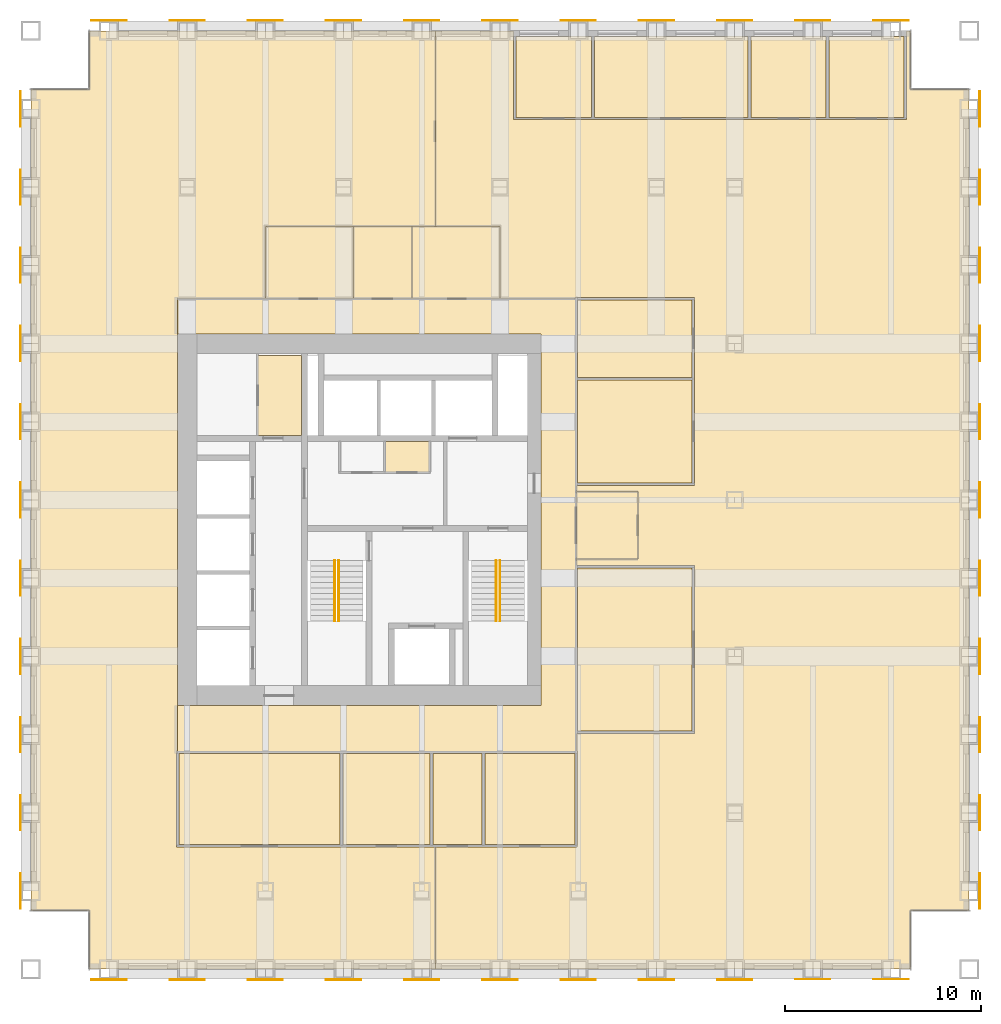
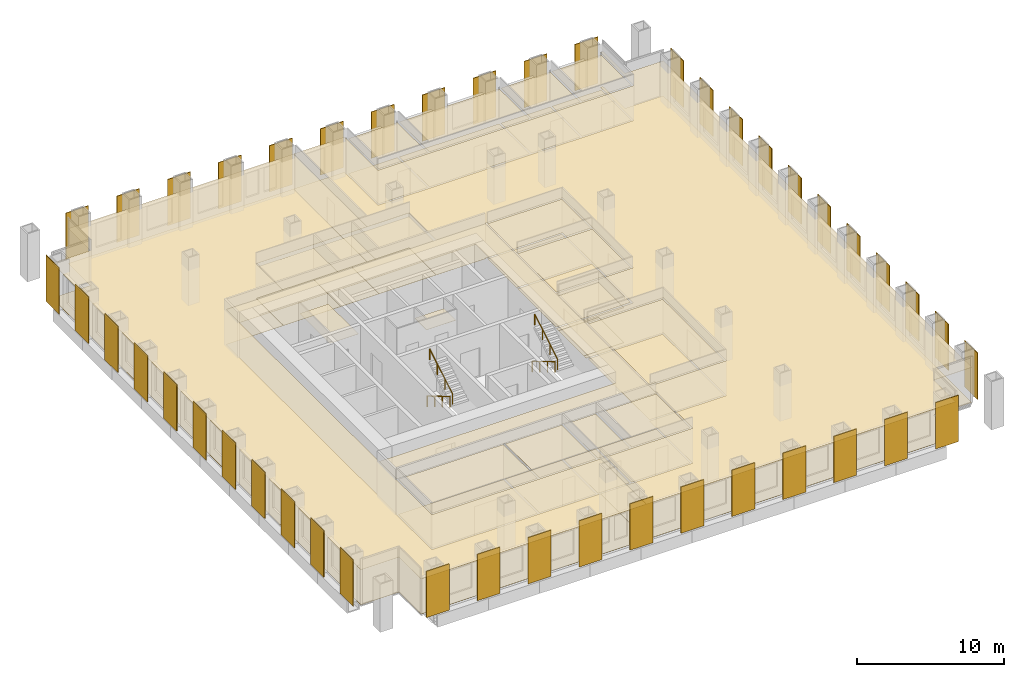
# One storey, part 15 of 15: 44 shading devices, 37 coverings, 4 railings.
"""IFC4 building model written with IfcOpenShell, lengths in metres."""

from ifc_helpers import new_model, si_unit, direction, frame, origin, origin_2d, place, context, subcontext, project, spatial, polyline, rectangle, circle, outline, extrude, material, layer, layer_set, type_object, element, save


model = new_model("IFC4")

# Units and contexts
model_context = context("Model", 3, precision=1e-05, world=origin(), true_north=direction((0.0, 1.0)))
body_context = subcontext(model_context, "Body", "Model", "MODEL_VIEW")
ifc_project = project(units=[si_unit("LENGTHUNIT", "METRE"), si_unit("AREAUNIT", "SQUARE_METRE"), si_unit("VOLUMEUNIT", "CUBIC_METRE"), si_unit("PLANEANGLEUNIT", "RADIAN"), si_unit("MASSUNIT", "GRAM", prefix="KILO")], contexts=[model_context])

# Site, building, storey
site_placement = place(None, origin())
site = spatial("IfcSite", under=ifc_project, at=site_placement, CompositionType="ELEMENT")
building_placement = place(site_placement, origin())
building = spatial("IfcBuilding", under=site, at=building_placement, Name="Rimbunsela Tower", CompositionType="ELEMENT")
storey_placement = place(building_placement, frame((0.0, 0.0, 113.39990234375)))
storey = spatial("IfcBuildingStorey", under=building, at=storey_placement, Name="L27", CompositionType="ELEMENT", Elevation=113.39990234375)

# Coverings
ifc_material_1 = material(Name="Nylon carpet tile", Category="textile")
ifc_layer_1 = layer(ifc_material_1, 0.010009765625)
ifc_layer_set_1 = layer_set([ifc_layer_1], Name="Carpet tile 10")
covering_type_1 = type_object("IfcCoveringType", Name="Carpet tile 10", PredefinedType="FLOORING", material=ifc_layer_set_1)
covering_1_placement = place(storey_placement, origin())
element("IfcCovering", 1, at=covering_1_placement, inside=storey, type_object=covering_type_1, Name="Floor finish Open office", PredefinedType="FLOORING", context=body_context, shape_type="SweptSolid", body=[
    extrude(outline(polyline([(17.5, 4.0), (13.0, 4.0), (13.0, 7.0), (10.0, 7.0), (10.0, 49.0), (13.0, 49.0), (13.0, 52.0), (17.5, 52.0), (30.699951171875, 52.0), (30.699951171875, 42.0), (22.0, 42.0), (22.0, 38.300048828125), (17.5, 38.300048828125), (17.5, 36.5), (17.5, 17.5), (17.5, 15.14990234375), (17.449951171875, 15.14990234375), (17.449951171875, 10.25), (17.5, 10.25), (25.85009765625, 10.25), (25.949951171875, 10.25), (30.449951171875, 10.25), (30.550048828125, 10.25), (30.699951171875, 10.25), (30.699951171875, 4.0), (17.5, 4.0)])), origin(), (0.0, 0.0, 1.0), 0.010009765625),
])
covering_2_placement = place(storey_placement, origin())
element("IfcCovering", 2, at=covering_2_placement, inside=storey, type_object=covering_type_1, Name="Floor finish Open office", PredefinedType="FLOORING", context=body_context, shape_type="SweptSolid", body=[
    extrude(outline(polyline([(30.699951171875, 52.0), (34.699951171875, 52.0), (34.699951171875, 47.449951171875), (37.89990234375, 47.449951171875), (38.699951171875, 47.449951171875), (38.800048828125, 47.449951171875), (46.699951171875, 47.449951171875), (46.800048828125, 47.449951171875), (50.699951171875, 47.449951171875), (50.800048828125, 47.449951171875), (54.800048828125, 47.449951171875), (54.800048828125, 52.0), (55.0, 52.0), (55.0, 49.0), (58.0, 49.0), (58.0, 7.0), (55.0, 7.0), (55.0, 4.0), (37.89990234375, 4.0), (30.699951171875, 4.0), (30.699951171875, 10.25), (33.10009765625, 10.25), (33.199951171875, 10.25), (37.89990234375, 10.25), (37.949951171875, 10.25), (37.949951171875, 15.14990234375), (37.89990234375, 15.14990234375), (37.89990234375, 16.050048828125), (43.949951171875, 16.050048828125), (43.949951171875, 24.64990234375), (37.89990234375, 24.64990234375), (37.89990234375, 24.97509765625), (41.050048828125, 24.97509765625), (41.050048828125, 28.425048828125), (37.89990234375, 28.425048828125), (37.89990234375, 28.75), (43.949951171875, 28.75), (43.949951171875, 34.14990234375), (43.949951171875, 34.25), (43.949951171875, 38.35009765625), (37.89990234375, 38.35009765625), (37.85009765625, 38.35009765625), (37.85009765625, 38.300048828125), (34.0, 38.300048828125), (34.0, 42.0), (30.699951171875, 42.0), (30.699951171875, 52.0)])), origin(), (0.0, 0.0, 1.0), 0.010009765625),
])
covering_3_placement = place(storey_placement, origin())
element("IfcCovering", 3, at=covering_3_placement, inside=storey, type_object=covering_type_1, Name="Floor finish Reception", PredefinedType="FLOORING", context=body_context, shape_type="SweptSolid", body=[
    extrude(outline(polyline([(41.050048828125, 24.97509765625), (41.050048828125, 28.425048828125), (37.89990234375, 28.425048828125), (37.89990234375, 24.97509765625), (41.050048828125, 24.97509765625)])), origin(), (0.0, 0.0, 1.0), 0.010009765625),
])
covering_4_placement = place(storey_placement, origin())
element("IfcCovering", 4, at=covering_4_placement, inside=storey, type_object=covering_type_1, Name="Floor finish Executive office", PredefinedType="FLOORING", context=body_context, shape_type="SweptSolid", body=[
    extrude(outline(polyline([(38.675048828125, 47.574951171875), (38.675048828125, 51.699951171875), (34.824951171875, 51.699951171875), (34.824951171875, 47.574951171875), (38.675048828125, 47.574951171875)])), origin(), (0.0, 0.0, 1.0), 0.010009765625),
])
covering_5_placement = place(storey_placement, origin())
element("IfcCovering", 5, at=covering_5_placement, inside=storey, type_object=covering_type_1, Name="Floor finish Executive office", PredefinedType="FLOORING", context=body_context, shape_type="SweptSolid", body=[
    extrude(outline(polyline([(46.675048828125, 47.574951171875), (46.675048828125, 51.699951171875), (38.824951171875, 51.699951171875), (38.824951171875, 47.574951171875), (46.675048828125, 47.574951171875)])), origin(), (0.0, 0.0, 1.0), 0.010009765625),
])
covering_6_placement = place(storey_placement, origin())
element("IfcCovering", 6, at=covering_6_placement, inside=storey, type_object=covering_type_1, Name="Floor finish Executive office", PredefinedType="FLOORING", context=body_context, shape_type="SweptSolid", body=[
    extrude(outline(polyline([(50.675048828125, 47.574951171875), (50.675048828125, 51.699951171875), (46.824951171875, 51.699951171875), (46.824951171875, 47.574951171875), (50.675048828125, 47.574951171875)])), origin(), (0.0, 0.0, 1.0), 0.010009765625),
])
covering_7_placement = place(storey_placement, origin())
element("IfcCovering", 7, at=covering_7_placement, inside=storey, type_object=covering_type_1, Name="Floor finish Executive office", PredefinedType="FLOORING", context=body_context, shape_type="SweptSolid", body=[
    extrude(outline(polyline([(54.675048828125, 47.574951171875), (54.675048828125, 51.699951171875), (50.824951171875, 51.699951171875), (50.824951171875, 47.574951171875), (54.675048828125, 47.574951171875)])), origin(), (0.0, 0.0, 1.0), 0.010009765625),
])
covering_8_placement = place(storey_placement, origin())
element("IfcCovering", 8, at=covering_8_placement, inside=storey, type_object=covering_type_1, Name="Floor finish Training room", PredefinedType="FLOORING", context=body_context, shape_type="SweptSolid", body=[
    extrude(outline(polyline([(25.824951171875, 10.375), (25.824951171875, 15.02490234375), (17.574951171875, 15.02490234375), (17.574951171875, 10.375), (25.824951171875, 10.375)])), origin(), (0.0, 0.0, 1.0), 0.010009765625),
])
covering_9_placement = place(storey_placement, origin())
element("IfcCovering", 9, at=covering_9_placement, inside=storey, type_object=covering_type_1, Name="Floor finish Pantry", PredefinedType="FLOORING", context=body_context, shape_type="SweptSolid", body=[
    extrude(outline(polyline([(30.425048828125, 10.375), (30.425048828125, 15.02490234375), (25.97509765625, 15.02490234375), (25.97509765625, 10.375), (30.425048828125, 10.375)])), origin(), (0.0, 0.0, 1.0), 0.010009765625),
])
covering_10_placement = place(storey_placement, origin())
element("IfcCovering", 10, at=covering_10_placement, inside=storey, type_object=covering_type_1, Name="Floor finish Print and copy room", PredefinedType="FLOORING", context=body_context, shape_type="SweptSolid", body=[
    extrude(outline(polyline([(33.074951171875, 10.375), (33.074951171875, 15.02490234375), (30.574951171875, 15.02490234375), (30.574951171875, 10.375), (33.074951171875, 10.375)])), origin(), (0.0, 0.0, 1.0), 0.010009765625),
])
covering_11_placement = place(storey_placement, origin())
element("IfcCovering", 11, at=covering_11_placement, inside=storey, type_object=covering_type_1, Name="Floor finish Office", PredefinedType="FLOORING", context=body_context, shape_type="SweptSolid", body=[
    extrude(outline(polyline([(37.824951171875, 10.375), (37.824951171875, 15.02490234375), (33.22509765625, 15.02490234375), (33.22509765625, 10.375), (37.824951171875, 10.375)])), origin(), (0.0, 0.0, 1.0), 0.010009765625),
])
covering_12_placement = place(storey_placement, origin())
element("IfcCovering", 12, at=covering_12_placement, inside=storey, type_object=covering_type_1, Name="Floor finish Boardroom", PredefinedType="FLOORING", context=body_context, shape_type="SweptSolid", body=[
    extrude(outline(polyline([(43.824951171875, 16.175048828125), (43.824951171875, 24.52490234375), (37.97509765625, 24.52490234375), (37.97509765625, 16.175048828125), (43.824951171875, 16.175048828125)])), origin(), (0.0, 0.0, 1.0), 0.010009765625),
])
covering_13_placement = place(storey_placement, origin())
element("IfcCovering", 13, at=covering_13_placement, inside=storey, type_object=covering_type_1, Name="Floor finish Meeting room", PredefinedType="FLOORING", context=body_context, shape_type="SweptSolid", body=[
    extrude(outline(polyline([(43.824951171875, 28.875), (43.824951171875, 34.125), (37.97509765625, 34.125), (37.97509765625, 28.875), (43.824951171875, 28.875)])), origin(), (0.0, 0.0, 1.0), 0.010009765625),
])
covering_14_placement = place(storey_placement, origin())
element("IfcCovering", 14, at=covering_14_placement, inside=storey, type_object=covering_type_1, Name="Floor finish Office", PredefinedType="FLOORING", context=body_context, shape_type="SweptSolid", body=[
    extrude(outline(polyline([(43.824951171875, 34.27490234375), (43.824951171875, 38.22509765625), (37.97509765625, 38.22509765625), (37.97509765625, 34.27490234375), (43.824951171875, 34.27490234375)])), origin(), (0.0, 0.0, 1.0), 0.010009765625),
])
ifc_material_2 = material(Name="Mineral fibre ceiling tile", Category="gypsum")
ifc_layer_2 = layer(ifc_material_2, 0.02001953125)
ifc_layer_set_2 = layer_set([ifc_layer_2], Name="Ceiling 600 grid")
covering_type_2 = type_object("IfcCoveringType", Name="Ceiling 600 grid", PredefinedType="CEILING", material=ifc_layer_set_2)
covering_15_placement = place(storey_placement, frame((0.0, 0.0, 2.900146484375)))
element("IfcCovering", 15, at=covering_15_placement, inside=storey, type_object=covering_type_2, Name="Ceiling IT room", PredefinedType="CEILING", context=body_context, shape_type="SweptSolid", body=[
    extrude(outline(polyline([(30.39990234375, 29.39990234375), (30.39990234375, 31.0), (28.10009765625, 31.0), (28.10009765625, 29.39990234375), (30.39990234375, 29.39990234375)])), origin(), (0.0, 0.0, 1.0), 0.02001953125),
])
covering_16_placement = place(storey_placement, frame((0.0, 0.0, 2.900146484375)))
element("IfcCovering", 16, at=covering_16_placement, inside=storey, type_object=covering_type_2, Name="Ceiling Staff pantry", PredefinedType="CEILING", context=body_context, shape_type="SweptSolid", body=[
    extrude(outline(polyline([(23.85009765625, 31.300048828125), (23.85009765625, 35.39990234375), (21.60009765625, 35.39990234375), (21.60009765625, 31.300048828125), (23.85009765625, 31.300048828125)])), origin(), (0.0, 0.0, 1.0), 0.02001953125),
])
covering_17_placement = place(storey_placement, frame((0.0, 0.0, 2.900146484375)))
element("IfcCovering", 17, at=covering_17_placement, inside=storey, type_object=covering_type_2, Name="Ceiling U-shaped corridor", PredefinedType="CEILING", context=body_context, shape_type="SweptSolid", body=[
    extrude(outline(polyline([(37.89990234375, 38.300048828125), (37.89990234375, 15.10009765625), (17.5, 15.10009765625), (17.5, 17.5), (36.10009765625, 17.5), (36.10009765625, 36.5), (17.5, 36.5), (17.5, 38.300048828125), (37.89990234375, 38.300048828125)])), origin(), (0.0, 0.0, 1.0), 0.02001953125),
])
covering_18_placement = place(storey_placement, frame((0.0, 0.0, 2.900146484375)))
element("IfcCovering", 18, at=covering_18_placement, inside=storey, type_object=covering_type_2, Name="Ceiling Open office", PredefinedType="CEILING", context=body_context, shape_type="SweptSolid", body=[
    extrude(outline(polyline([(17.5, 4.0), (13.0, 4.0), (13.0, 7.0), (10.0, 7.0), (10.0, 49.0), (13.0, 49.0), (13.0, 52.0), (17.5, 52.0), (30.699951171875, 52.0), (30.699951171875, 42.0), (22.0, 42.0), (22.0, 38.300048828125), (17.5, 38.300048828125), (17.5, 36.5), (17.5, 17.5), (17.5, 15.14990234375), (17.449951171875, 15.14990234375), (17.449951171875, 10.25), (17.5, 10.25), (25.85009765625, 10.25), (25.949951171875, 10.25), (30.449951171875, 10.25), (30.550048828125, 10.25), (30.699951171875, 10.25), (30.699951171875, 4.0), (17.5, 4.0)])), origin(), (0.0, 0.0, 1.0), 0.02001953125),
])
covering_19_placement = place(storey_placement, frame((0.0, 0.0, 2.900146484375)))
element("IfcCovering", 19, at=covering_19_placement, inside=storey, type_object=covering_type_2, Name="Ceiling Open office", PredefinedType="CEILING", context=body_context, shape_type="SweptSolid", body=[
    extrude(outline(polyline([(30.699951171875, 52.0), (34.699951171875, 52.0), (34.699951171875, 47.449951171875), (37.89990234375, 47.449951171875), (38.699951171875, 47.449951171875), (38.800048828125, 47.449951171875), (46.699951171875, 47.449951171875), (46.800048828125, 47.449951171875), (50.699951171875, 47.449951171875), (50.800048828125, 47.449951171875), (54.800048828125, 47.449951171875), (54.800048828125, 52.0), (55.0, 52.0), (55.0, 49.0), (58.0, 49.0), (58.0, 7.0), (55.0, 7.0), (55.0, 4.0), (37.89990234375, 4.0), (30.699951171875, 4.0), (30.699951171875, 10.25), (33.10009765625, 10.25), (33.199951171875, 10.25), (37.89990234375, 10.25), (37.949951171875, 10.25), (37.949951171875, 15.14990234375), (37.89990234375, 15.14990234375), (37.89990234375, 16.050048828125), (43.949951171875, 16.050048828125), (43.949951171875, 24.64990234375), (37.89990234375, 24.64990234375), (37.89990234375, 24.97509765625), (41.050048828125, 24.97509765625), (41.050048828125, 28.425048828125), (37.89990234375, 28.425048828125), (37.89990234375, 28.75), (43.949951171875, 28.75), (43.949951171875, 34.14990234375), (43.949951171875, 34.25), (43.949951171875, 38.35009765625), (37.89990234375, 38.35009765625), (37.85009765625, 38.35009765625), (37.85009765625, 38.300048828125), (34.0, 38.300048828125), (34.0, 42.0), (30.699951171875, 42.0), (30.699951171875, 52.0)])), origin(), (0.0, 0.0, 1.0), 0.02001953125),
])
covering_20_placement = place(storey_placement, frame((0.0, 0.0, 2.900146484375)))
element("IfcCovering", 20, at=covering_20_placement, inside=storey, type_object=covering_type_2, Name="Ceiling Reception", PredefinedType="CEILING", context=body_context, shape_type="SweptSolid", body=[
    extrude(outline(polyline([(41.050048828125, 24.97509765625), (41.050048828125, 28.425048828125), (37.89990234375, 28.425048828125), (37.89990234375, 24.97509765625), (41.050048828125, 24.97509765625)])), origin(), (0.0, 0.0, 1.0), 0.02001953125),
])
covering_21_placement = place(storey_placement, frame((0.0, 0.0, 2.900146484375)))
element("IfcCovering", 21, at=covering_21_placement, inside=storey, type_object=covering_type_2, Name="Ceiling Executive office", PredefinedType="CEILING", context=body_context, shape_type="SweptSolid", body=[
    extrude(outline(polyline([(38.675048828125, 47.574951171875), (38.675048828125, 51.699951171875), (34.824951171875, 51.699951171875), (34.824951171875, 47.574951171875), (38.675048828125, 47.574951171875)])), origin(), (0.0, 0.0, 1.0), 0.02001953125),
])
covering_22_placement = place(storey_placement, frame((0.0, 0.0, 2.900146484375)))
element("IfcCovering", 22, at=covering_22_placement, inside=storey, type_object=covering_type_2, Name="Ceiling Executive office", PredefinedType="CEILING", context=body_context, shape_type="SweptSolid", body=[
    extrude(outline(polyline([(46.675048828125, 47.574951171875), (46.675048828125, 51.699951171875), (38.824951171875, 51.699951171875), (38.824951171875, 47.574951171875), (46.675048828125, 47.574951171875)])), origin(), (0.0, 0.0, 1.0), 0.02001953125),
])
covering_23_placement = place(storey_placement, frame((0.0, 0.0, 2.900146484375)))
element("IfcCovering", 23, at=covering_23_placement, inside=storey, type_object=covering_type_2, Name="Ceiling Executive office", PredefinedType="CEILING", context=body_context, shape_type="SweptSolid", body=[
    extrude(outline(polyline([(50.675048828125, 47.574951171875), (50.675048828125, 51.699951171875), (46.824951171875, 51.699951171875), (46.824951171875, 47.574951171875), (50.675048828125, 47.574951171875)])), origin(), (0.0, 0.0, 1.0), 0.02001953125),
])
covering_24_placement = place(storey_placement, frame((0.0, 0.0, 2.900146484375)))
element("IfcCovering", 24, at=covering_24_placement, inside=storey, type_object=covering_type_2, Name="Ceiling Executive office", PredefinedType="CEILING", context=body_context, shape_type="SweptSolid", body=[
    extrude(outline(polyline([(54.675048828125, 47.574951171875), (54.675048828125, 51.699951171875), (50.824951171875, 51.699951171875), (50.824951171875, 47.574951171875), (54.675048828125, 47.574951171875)])), origin(), (0.0, 0.0, 1.0), 0.02001953125),
])
covering_25_placement = place(storey_placement, frame((0.0, 0.0, 2.900146484375)))
element("IfcCovering", 25, at=covering_25_placement, inside=storey, type_object=covering_type_2, Name="Ceiling Training room", PredefinedType="CEILING", context=body_context, shape_type="SweptSolid", body=[
    extrude(outline(polyline([(25.824951171875, 10.375), (25.824951171875, 15.02490234375), (17.574951171875, 15.02490234375), (17.574951171875, 10.375), (25.824951171875, 10.375)])), origin(), (0.0, 0.0, 1.0), 0.02001953125),
])
covering_26_placement = place(storey_placement, frame((0.0, 0.0, 2.900146484375)))
element("IfcCovering", 26, at=covering_26_placement, inside=storey, type_object=covering_type_2, Name="Ceiling Pantry", PredefinedType="CEILING", context=body_context, shape_type="SweptSolid", body=[
    extrude(outline(polyline([(30.425048828125, 10.375), (30.425048828125, 15.02490234375), (25.97509765625, 15.02490234375), (25.97509765625, 10.375), (30.425048828125, 10.375)])), origin(), (0.0, 0.0, 1.0), 0.02001953125),
])
covering_27_placement = place(storey_placement, frame((0.0, 0.0, 2.900146484375)))
element("IfcCovering", 27, at=covering_27_placement, inside=storey, type_object=covering_type_2, Name="Ceiling Print and copy room", PredefinedType="CEILING", context=body_context, shape_type="SweptSolid", body=[
    extrude(outline(polyline([(33.074951171875, 10.375), (33.074951171875, 15.02490234375), (30.574951171875, 15.02490234375), (30.574951171875, 10.375), (33.074951171875, 10.375)])), origin(), (0.0, 0.0, 1.0), 0.02001953125),
])
covering_28_placement = place(storey_placement, frame((0.0, 0.0, 2.900146484375)))
element("IfcCovering", 28, at=covering_28_placement, inside=storey, type_object=covering_type_2, Name="Ceiling Office", PredefinedType="CEILING", context=body_context, shape_type="SweptSolid", body=[
    extrude(outline(polyline([(37.824951171875, 10.375), (37.824951171875, 15.02490234375), (33.22509765625, 15.02490234375), (33.22509765625, 10.375), (37.824951171875, 10.375)])), origin(), (0.0, 0.0, 1.0), 0.02001953125),
])
covering_29_placement = place(storey_placement, frame((0.0, 0.0, 2.900146484375)))
element("IfcCovering", 29, at=covering_29_placement, inside=storey, type_object=covering_type_2, Name="Ceiling Boardroom", PredefinedType="CEILING", context=body_context, shape_type="SweptSolid", body=[
    extrude(outline(polyline([(43.824951171875, 16.175048828125), (43.824951171875, 24.52490234375), (37.97509765625, 24.52490234375), (37.97509765625, 16.175048828125), (43.824951171875, 16.175048828125)])), origin(), (0.0, 0.0, 1.0), 0.02001953125),
])
covering_30_placement = place(storey_placement, frame((0.0, 0.0, 2.900146484375)))
element("IfcCovering", 30, at=covering_30_placement, inside=storey, type_object=covering_type_2, Name="Ceiling Meeting room", PredefinedType="CEILING", context=body_context, shape_type="SweptSolid", body=[
    extrude(outline(polyline([(43.824951171875, 28.875), (43.824951171875, 34.125), (37.97509765625, 34.125), (37.97509765625, 28.875), (43.824951171875, 28.875)])), origin(), (0.0, 0.0, 1.0), 0.02001953125),
])
covering_31_placement = place(storey_placement, frame((0.0, 0.0, 2.900146484375)))
element("IfcCovering", 31, at=covering_31_placement, inside=storey, type_object=covering_type_2, Name="Ceiling Office", PredefinedType="CEILING", context=body_context, shape_type="SweptSolid", body=[
    extrude(outline(polyline([(43.824951171875, 34.27490234375), (43.824951171875, 38.22509765625), (37.97509765625, 38.22509765625), (37.97509765625, 34.27490234375), (43.824951171875, 34.27490234375)])), origin(), (0.0, 0.0, 1.0), 0.02001953125),
])
ifc_material_3 = material(Name="Moisture-resistant plasterboard ceiling", Category="gypsum")
ifc_layer_3 = layer(ifc_material_3, 0.012451171875)
ifc_layer_set_3 = layer_set([ifc_layer_3], Name="Ceiling moisture-resistant board")
covering_type_3 = type_object("IfcCoveringType", Name="Ceiling moisture-resistant board", PredefinedType="CEILING", material=ifc_layer_set_3)
covering_32_placement = place(storey_placement, frame((0.0, 0.0, 2.60009765625)))
element("IfcCovering", 32, at=covering_32_placement, inside=storey, type_object=covering_type_3, Name="Ceiling Female WC", PredefinedType="CEILING", context=body_context, shape_type="SweptSolid", body=[
    extrude(outline(polyline([(26.5, 38.300048828125), (26.5, 42.0), (22.0, 42.0), (22.0, 38.300048828125), (26.5, 38.300048828125)])), origin(), (0.0, 0.0, 1.0), 0.02001953125),
])
covering_33_placement = place(storey_placement, frame((0.0, 0.0, 2.60009765625)))
element("IfcCovering", 33, at=covering_33_placement, inside=storey, type_object=covering_type_3, Name="Ceiling Accessible WC", PredefinedType="CEILING", context=body_context, shape_type="SweptSolid", body=[
    extrude(outline(polyline([(29.5, 38.300048828125), (29.5, 42.0), (26.5, 42.0), (26.5, 38.300048828125), (29.5, 38.300048828125)])), origin(), (0.0, 0.0, 1.0), 0.02001953125),
])
covering_34_placement = place(storey_placement, frame((0.0, 0.0, 2.60009765625)))
element("IfcCovering", 34, at=covering_34_placement, inside=storey, type_object=covering_type_3, Name="Ceiling Male WC", PredefinedType="CEILING", context=body_context, shape_type="SweptSolid", body=[
    extrude(outline(polyline([(34.0, 38.300048828125), (34.0, 42.0), (29.5, 42.0), (29.5, 38.300048828125), (34.0, 38.300048828125)])), origin(), (0.0, 0.0, 1.0), 0.02001953125),
])
ifc_material_4 = material(Name="Porcelain floor tile in adhesive bed", Category="ceramic")
ifc_layer_4 = layer(ifc_material_4, 0.02001953125)
ifc_layer_set_4 = layer_set([ifc_layer_4], Name="Porcelain tile 20")
covering_type_4 = type_object("IfcCoveringType", Name="Porcelain tile 20", PredefinedType="FLOORING", material=ifc_layer_set_4)
covering_35_placement = place(storey_placement, origin())
element("IfcCovering", 35, at=covering_35_placement, inside=storey, type_object=covering_type_4, Name="Floor finish Female WC", PredefinedType="FLOORING", context=body_context, shape_type="SweptSolid", body=[
    extrude(outline(polyline([(26.5, 38.300048828125), (26.5, 42.0), (22.0, 42.0), (22.0, 38.300048828125), (26.5, 38.300048828125)])), origin(), (0.0, 0.0, 1.0), 0.02001953125),
])
covering_36_placement = place(storey_placement, origin())
element("IfcCovering", 36, at=covering_36_placement, inside=storey, type_object=covering_type_4, Name="Floor finish Accessible WC", PredefinedType="FLOORING", context=body_context, shape_type="SweptSolid", body=[
    extrude(outline(polyline([(29.5, 38.300048828125), (29.5, 42.0), (26.5, 42.0), (26.5, 38.300048828125), (29.5, 38.300048828125)])), origin(), (0.0, 0.0, 1.0), 0.02001953125),
])
covering_37_placement = place(storey_placement, origin())
element("IfcCovering", 37, at=covering_37_placement, inside=storey, type_object=covering_type_4, Name="Floor finish Male WC", PredefinedType="FLOORING", context=body_context, shape_type="SweptSolid", body=[
    extrude(outline(polyline([(34.0, 38.300048828125), (34.0, 42.0), (29.5, 42.0), (29.5, 38.300048828125), (34.0, 38.300048828125)])), origin(), (0.0, 0.0, 1.0), 0.02001953125),
])

# Shading devices
ifc_material_5 = material(Name="Perforated aluminium, 35 % open area", Category="aluminium")
ifc_layer_5 = layer(ifc_material_5, 0.050048828125)
ifc_layer_set_5 = layer_set([ifc_layer_5], Name="Solar screen panel 1800")
shading_device_type = type_object("IfcShadingDeviceType", Name="Solar screen panel 1800", PredefinedType="USERDEFINED", material=ifc_layer_set_5)
for number, where, z_axis, x_axis, name in (
    (38, (14.0, 3.47509765625, 0.0), (0.0, 0.0, 1.0), (1.0, 0.0, 0.0), "Solar screen S L27"),
    (39, (18.0, 3.47509765625, 0.0), (0.0, 0.0, 1.0), (1.0, 0.0, 0.0), "Solar screen S L27"),
    (40, (22.0, 3.47509765625, 0.0), (0.0, 0.0, 1.0), (1.0, 0.0, 0.0), "Solar screen S L27"),
    (41, (26.0, 3.47509765625, 0.0), (0.0, 0.0, 1.0), (1.0, 0.0, 0.0), "Solar screen S L27"),
    (42, (30.0, 3.47509765625, 0.0), (0.0, 0.0, 1.0), (1.0, 0.0, 0.0), "Solar screen S L27"),
    (43, (34.0, 3.47509765625, 0.0), (0.0, 0.0, 1.0), (1.0, 0.0, 0.0), "Solar screen S L27"),
    (44, (38.0, 3.47509765625, 0.0), (0.0, 0.0, 1.0), (1.0, 0.0, 0.0), "Solar screen S L27"),
    (45, (42.0, 3.47509765625, 0.0), (0.0, 0.0, 1.0), (1.0, 0.0, 0.0), "Solar screen S L27"),
    (46, (46.0, 3.47509765625, 0.0), (0.0, 0.0, 1.0), (1.0, 0.0, 0.0), "Solar screen S L27"),
    (47, (50.0, 3.47509765625, 0.0), (0.0, 0.0, 1.0), (1.0, 0.0, 0.0), "Solar screen S L27"),
    (48, (54.0, 3.47509765625, 0.0), (0.0, 0.0, 1.0), (1.0, 0.0, 0.0), "Solar screen S L27"),
    (49, (58.52490234375, 8.0, 0.0), (0.0, 0.0, 1.0), (0.0, 1.0, 0.0), "Solar screen E L27"),
    (50, (58.52490234375, 12.0, 0.0), (0.0, 0.0, 1.0), (0.0, 1.0, 0.0), "Solar screen E L27"),
    (51, (58.52490234375, 16.0, 0.0), (0.0, 0.0, 1.0), (0.0, 1.0, 0.0), "Solar screen E L27"),
    (52, (58.52490234375, 20.0, 0.0), (0.0, 0.0, 1.0), (0.0, 1.0, 0.0), "Solar screen E L27"),
    (53, (58.52490234375, 24.0, 0.0), (0.0, 0.0, 1.0), (0.0, 1.0, 0.0), "Solar screen E L27"),
    (54, (58.52490234375, 28.0, 0.0), (0.0, 0.0, 1.0), (0.0, 1.0, 0.0), "Solar screen E L27"),
    (55, (58.52490234375, 32.0, 0.0), (0.0, 0.0, 1.0), (0.0, 1.0, 0.0), "Solar screen E L27"),
    (56, (58.52490234375, 36.0, 0.0), (0.0, 0.0, 1.0), (0.0, 1.0, 0.0), "Solar screen E L27"),
    (57, (58.52490234375, 40.0, 0.0), (0.0, 0.0, 1.0), (0.0, 1.0, 0.0), "Solar screen E L27"),
    (58, (58.52490234375, 44.0, 0.0), (0.0, 0.0, 1.0), (0.0, 1.0, 0.0), "Solar screen E L27"),
    (59, (58.52490234375, 48.0, 0.0), (0.0, 0.0, 1.0), (0.0, 1.0, 0.0), "Solar screen E L27"),
    (60, (14.0, 52.52490234375, 0.0), (0.0, 0.0, 1.0), (1.0, 0.0, 0.0), "Solar screen N L27"),
    (61, (18.0, 52.52490234375, 0.0), (0.0, 0.0, 1.0), (1.0, 0.0, 0.0), "Solar screen N L27"),
    (62, (22.0, 52.52490234375, 0.0), (0.0, 0.0, 1.0), (1.0, 0.0, 0.0), "Solar screen N L27"),
    (63, (26.0, 52.52490234375, 0.0), (0.0, 0.0, 1.0), (1.0, 0.0, 0.0), "Solar screen N L27"),
    (64, (30.0, 52.52490234375, 0.0), (0.0, 0.0, 1.0), (1.0, 0.0, 0.0), "Solar screen N L27"),
    (65, (34.0, 52.52490234375, 0.0), (0.0, 0.0, 1.0), (1.0, 0.0, 0.0), "Solar screen N L27"),
    (66, (38.0, 52.52490234375, 0.0), (0.0, 0.0, 1.0), (1.0, 0.0, 0.0), "Solar screen N L27"),
    (67, (42.0, 52.52490234375, 0.0), (0.0, 0.0, 1.0), (1.0, 0.0, 0.0), "Solar screen N L27"),
    (68, (46.0, 52.52490234375, 0.0), (0.0, 0.0, 1.0), (1.0, 0.0, 0.0), "Solar screen N L27"),
    (69, (50.0, 52.52490234375, 0.0), (0.0, 0.0, 1.0), (1.0, 0.0, 0.0), "Solar screen N L27"),
    (70, (54.0, 52.52490234375, 0.0), (0.0, 0.0, 1.0), (1.0, 0.0, 0.0), "Solar screen N L27"),
    (71, (9.47509765625, 8.0, 0.0), (0.0, 0.0, 1.0), (0.0, 1.0, 0.0), "Solar screen W L27"),
    (72, (9.47509765625, 12.0, 0.0), (0.0, 0.0, 1.0), (0.0, 1.0, 0.0), "Solar screen W L27"),
    (73, (9.47509765625, 16.0, 0.0), (0.0, 0.0, 1.0), (0.0, 1.0, 0.0), "Solar screen W L27"),
    (74, (9.47509765625, 20.0, 0.0), (0.0, 0.0, 1.0), (0.0, 1.0, 0.0), "Solar screen W L27"),
    (75, (9.47509765625, 24.0, 0.0), (0.0, 0.0, 1.0), (0.0, 1.0, 0.0), "Solar screen W L27"),
    (76, (9.47509765625, 28.0, 0.0), (0.0, 0.0, 1.0), (0.0, 1.0, 0.0), "Solar screen W L27"),
    (77, (9.47509765625, 32.0, 0.0), (0.0, 0.0, 1.0), (0.0, 1.0, 0.0), "Solar screen W L27"),
    (78, (9.47509765625, 36.0, 0.0), (0.0, 0.0, 1.0), (0.0, 1.0, 0.0), "Solar screen W L27"),
    (79, (9.47509765625, 40.0, 0.0), (0.0, 0.0, 1.0), (0.0, 1.0, 0.0), "Solar screen W L27"),
    (80, (9.47509765625, 44.0, 0.0), (0.0, 0.0, 1.0), (0.0, 1.0, 0.0), "Solar screen W L27"),
    (81, (9.47509765625, 48.0, 0.0), (0.0, 0.0, 1.0), (0.0, 1.0, 0.0), "Solar screen W L27"),
):
    element("IfcShadingDevice", number, at=place(storey_placement, frame(where, z_axis=z_axis, x_axis=x_axis)), inside=storey, type_object=shading_device_type, Name=name, ObjectType="SCREEN", PredefinedType="USERDEFINED", context=body_context, shape_type="SweptSolid", body=[
        extrude(rectangle(XDim=1.800048828125, YDim=0.050048828125, at=origin_2d()), origin(), (0.0, 0.0, 1.0), 3.85009765625),
    ])

# Railings
ifc_material_6 = material(Name="Stainless steel tube", Category="steel")
railing_type = type_object("IfcRailingType", Name="Stair handrail 900", PredefinedType="HANDRAIL", material=ifc_material_6)
railing_1_placement = place(storey_placement, frame((25.550048828125, 24.89990234375, 0.166748046875)))
element("IfcRailing", 82, at=railing_1_placement, inside=storey, type_object=railing_type, Name="Handrail ST-A flight 1", PredefinedType="HANDRAIL", context=body_context, shape_type="SweptSolid", body=[
    extrude(circle(Radius=0.02392578125, at=origin_2d()), frame((0.0, 0.0, 0.8759765625), z_axis=(0.0, -0.859290745958, 0.51148745235), x_axis=(1.0, 0.0, 0.0)), (0.0, 0.0, 1.0), 3.584228515625),
    extrude(circle(Radius=0.02099609375, at=origin_2d()), origin(), (0.0, 0.0, 1.0), 0.851806640625),
    extrude(circle(Radius=0.02099609375, at=origin_2d()), frame((0.0, -1.026611328125, 0.611083984375)), (0.0, 0.0, 1.0), 0.851806640625),
    extrude(circle(Radius=0.02099609375, at=origin_2d()), frame((0.0, -2.05322265625, 1.22216796875)), (0.0, 0.0, 1.0), 0.851806640625),
    extrude(circle(Radius=0.02099609375, at=origin_2d()), frame((0.0, -3.079833984375, 1.833251953125)), (0.0, 0.0, 1.0), 0.851806640625),
])
railing_2_placement = place(storey_placement, frame((25.75, 21.820068359375, 2.166748046875)))
element("IfcRailing", 83, at=railing_2_placement, inside=storey, type_object=railing_type, Name="Handrail ST-A flight 2", PredefinedType="HANDRAIL", context=body_context, shape_type="SweptSolid", body=[
    extrude(circle(Radius=0.02392578125, at=origin_2d()), frame((0.0, 0.0, 0.8759765625), z_axis=(0.0, 0.859290745958, 0.51148745235), x_axis=(-1.0, 0.0, 0.0)), (0.0, 0.0, 1.0), 3.584228515625),
    extrude(circle(Radius=0.02099609375, at=origin_2d()), origin(), (0.0, 0.0, 1.0), 0.851806640625),
    extrude(circle(Radius=0.02099609375, at=origin_2d()), frame((0.0, 1.026611328125, 0.611083984375)), (0.0, 0.0, 1.0), 0.851806640625),
    extrude(circle(Radius=0.02099609375, at=origin_2d()), frame((0.0, 2.05322265625, 1.22216796875)), (0.0, 0.0, 1.0), 0.851806640625),
    extrude(circle(Radius=0.02099609375, at=origin_2d()), frame((0.0, 3.079833984375, 1.833251953125)), (0.0, 0.0, 1.0), 0.851806640625),
])
railing_3_placement = place(storey_placement, frame((33.800048828125, 24.89990234375, 0.166748046875)))
element("IfcRailing", 84, at=railing_3_placement, inside=storey, type_object=railing_type, Name="Handrail ST-B flight 1", PredefinedType="HANDRAIL", context=body_context, shape_type="SweptSolid", body=[
    extrude(circle(Radius=0.02392578125, at=origin_2d()), frame((0.0, 0.0, 0.8759765625), z_axis=(0.0, -0.859290745958, 0.51148745235), x_axis=(1.0, 0.0, 0.0)), (0.0, 0.0, 1.0), 3.584228515625),
    extrude(circle(Radius=0.02099609375, at=origin_2d()), origin(), (0.0, 0.0, 1.0), 0.851806640625),
    extrude(circle(Radius=0.02099609375, at=origin_2d()), frame((0.0, -1.026611328125, 0.611083984375)), (0.0, 0.0, 1.0), 0.851806640625),
    extrude(circle(Radius=0.02099609375, at=origin_2d()), frame((0.0, -2.05322265625, 1.22216796875)), (0.0, 0.0, 1.0), 0.851806640625),
    extrude(circle(Radius=0.02099609375, at=origin_2d()), frame((0.0, -3.079833984375, 1.833251953125)), (0.0, 0.0, 1.0), 0.851806640625),
])
railing_4_placement = place(storey_placement, frame((34.0, 21.820068359375, 2.166748046875)))
element("IfcRailing", 85, at=railing_4_placement, inside=storey, type_object=railing_type, Name="Handrail ST-B flight 2", PredefinedType="HANDRAIL", context=body_context, shape_type="SweptSolid", body=[
    extrude(circle(Radius=0.02392578125, at=origin_2d()), frame((0.0, 0.0, 0.8759765625), z_axis=(0.0, 0.859290745958, 0.51148745235), x_axis=(-1.0, 0.0, 0.0)), (0.0, 0.0, 1.0), 3.584228515625),
    extrude(circle(Radius=0.02099609375, at=origin_2d()), origin(), (0.0, 0.0, 1.0), 0.851806640625),
    extrude(circle(Radius=0.02099609375, at=origin_2d()), frame((0.0, 1.026611328125, 0.611083984375)), (0.0, 0.0, 1.0), 0.851806640625),
    extrude(circle(Radius=0.02099609375, at=origin_2d()), frame((0.0, 2.05322265625, 1.22216796875)), (0.0, 0.0, 1.0), 0.851806640625),
    extrude(circle(Radius=0.02099609375, at=origin_2d()), frame((0.0, 3.079833984375, 1.833251953125)), (0.0, 0.0, 1.0), 0.851806640625),
])

save(model, "model.ifc")
